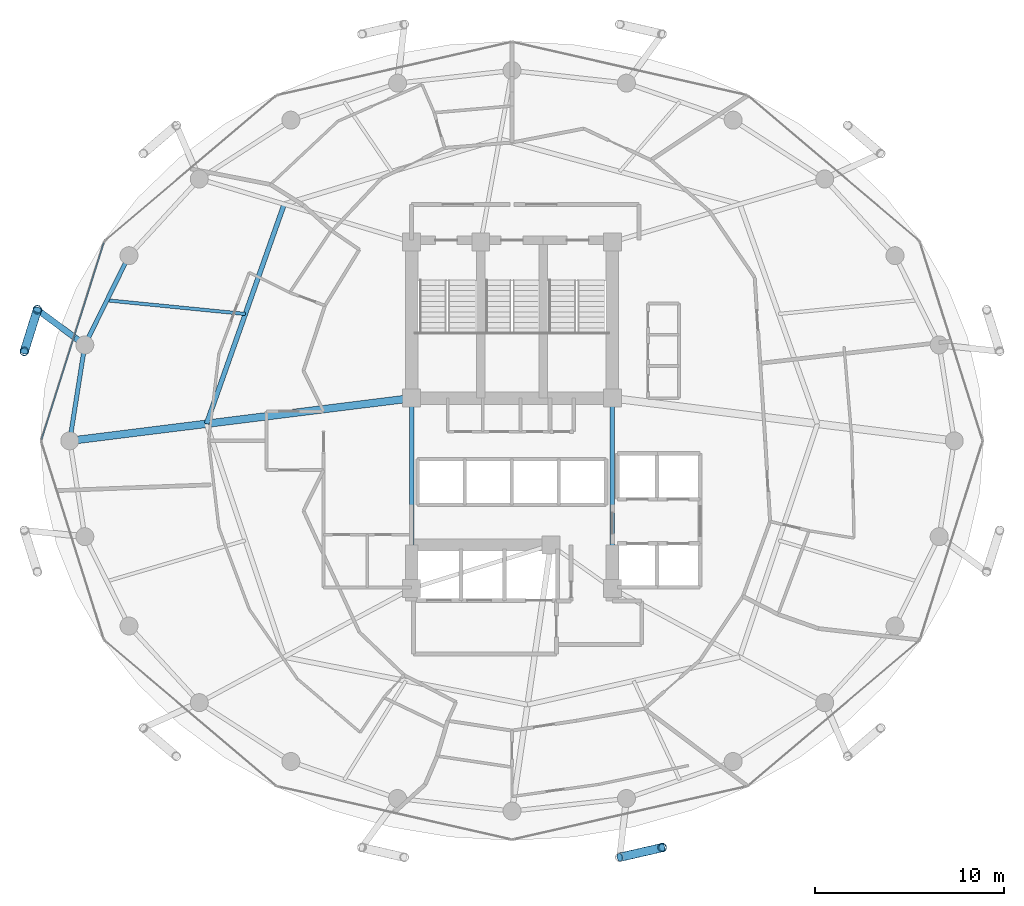
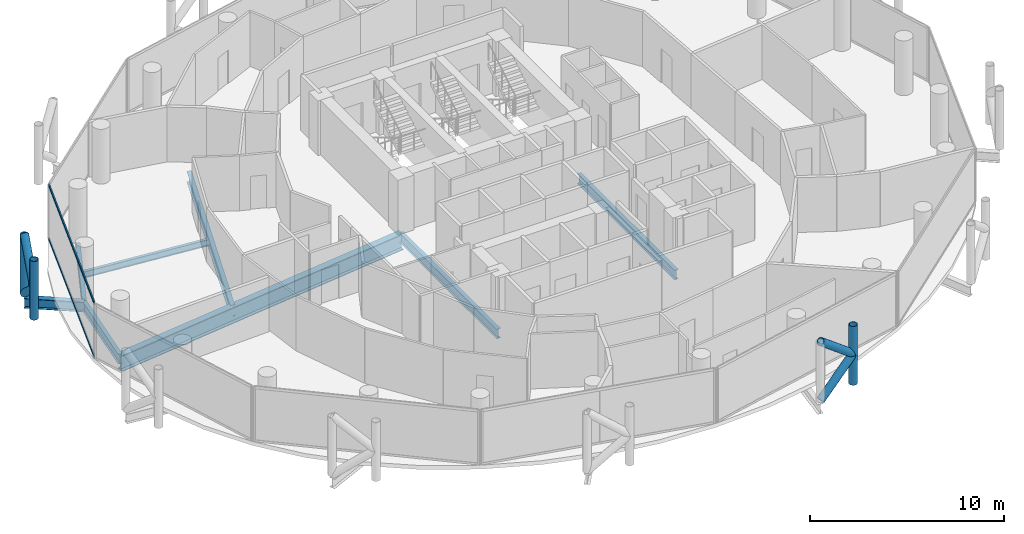
# One storey, part 7 of 26: 9 members, 8 beams, 1 element without a shape of its own.
"""IFC4 building model written with IfcOpenShell, lengths in metres."""

from ifc_helpers import new_model, si_unit, direction, frame, origin, origin_2d, place, context, subcontext, project, spatial, hollow_rectangle, hollow_circle, i_section, extrude, material, layer, layer_set, material_profile, profile_set, type_object, element, aggregate, save


model = new_model("IFC4")

# Units and contexts
model_context = context("Model", 3, precision=1e-05, world=origin(), true_north=direction((0.0, 1.0)))
body_context = subcontext(model_context, "Body", "Model", "MODEL_VIEW")
ifc_project = project(units=[si_unit("LENGTHUNIT", "METRE"), si_unit("AREAUNIT", "SQUARE_METRE"), si_unit("VOLUMEUNIT", "CUBIC_METRE"), si_unit("PLANEANGLEUNIT", "RADIAN"), si_unit("MASSUNIT", "GRAM", prefix="KILO")], contexts=[model_context])

# Site, building, storey
site_placement = place(None, origin())
site = spatial("IfcSite", under=ifc_project, at=site_placement, CompositionType="ELEMENT")
building_placement = place(site_placement, origin())
building = spatial("IfcBuilding", under=site, at=building_placement, Name="Nuhasar Tower", CompositionType="ELEMENT")
storey_placement = place(building_placement, frame((0.0, 0.0, 133.050048828125)))
storey = spatial("IfcBuildingStorey", under=building, at=storey_placement, Name="L31", CompositionType="ELEMENT", Elevation=133.050048828125)

# Beams
ifc_material_1 = material(Name="Steel S355", Category="steel")
ifc_material_profile_1 = material_profile(ifc_material_1, i_section(OverallWidth=0.25390625, OverallDepth=0.68408203125, WebThickness=0.012451171875, FlangeThickness=0.018798828125, at=origin_2d()), Name="W27X94")
ifc_profile_set_1 = profile_set([ifc_material_profile_1], Name="Steel S355")
beam_type_1 = type_object("IfcBeamType", Name="BM-INRING-W27X94", PredefinedType="BEAM", material=ifc_profile_set_1)
beam_1_placement = place(storey_placement, frame((26.972900390625, 39.2939453125, -0.592041015625), z_axis=(-0.333599821096, -0.942714781556, 0.0), x_axis=(0.942714781556, -0.333599821096, 0.0)))
element("IfcBeam", 1, at=beam_1_placement, inside=storey, type_object=beam_type_1, Name="L31 Inner Header Beam 07", PredefinedType="BEAM", context=body_context, shape_type="SweptSolid", body=[
    extrude(i_section(OverallWidth=0.25390625, OverallDepth=0.68408203125, WebThickness=0.012451171875, FlangeThickness=0.018798828125, at=origin_2d()), origin(), (0.0, 0.0, 1.0), 12.298583984375),
])
ifc_material_profile_2 = material_profile(ifc_material_1, i_section(OverallWidth=0.177978515625, OverallDepth=0.406005859375, WebThickness=0.0078125, FlangeThickness=0.0126953125, at=origin_2d()), Name="W16X40")
ifc_profile_set_2 = profile_set([ifc_material_profile_2], Name="Steel S355")
beam_type_2 = type_object("IfcBeamType", Name="BM-JST-W16X40", PredefinedType="JOIST", material=ifc_profile_set_2)
beam_2_placement = place(storey_placement, frame((24.922119140625, 33.4970703125, -0.453125), z_axis=(-0.995171845755, 0.098147834497, 0.0), x_axis=(-0.098147834497, -0.995171845755, 0.0)))
element("IfcBeam", 2, at=beam_2_placement, inside=storey, type_object=beam_type_2, Name="L31 Secondary Floor Joist 07", PredefinedType="JOIST", context=body_context, shape_type="SweptSolid", body=[
    extrude(i_section(OverallWidth=0.177978515625, OverallDepth=0.406005859375, WebThickness=0.0078125, FlangeThickness=0.0126953125, at=origin_2d()), origin(), (0.0, 0.0, 1.0), 7.345458984375),
])
ifc_material_profile_3 = material_profile(ifc_material_1, i_section(OverallWidth=0.22900390625, OverallDepth=0.612060546875, WebThickness=0.011962890625, FlangeThickness=0.01953125, at=origin_2d()), Name="W24X84")
ifc_profile_set_3 = profile_set([ifc_material_profile_3], Name="Steel S355")
beam_type_3 = type_object("IfcBeamType", Name="BM-RAD-W24X84", PredefinedType="BEAM", material=ifc_profile_set_3)
for number, where, z_axis, x_axis, name in (
    (3, (44.300048828125, 19.0, -0.55615234375), (0.0, 1.0, 0.0), (-1.0, 0.0, 0.0), "L31 Core Ring Girder 3"),
    (4, (33.699951171875, 29.050048828125, -0.55615234375), (0.0, -1.0, 0.0), (1.0, 0.0, 0.0), "L31 Core Ring Girder 8"),
):
    element("IfcBeam", number, at=place(storey_placement, frame(where, z_axis=z_axis, x_axis=x_axis)), inside=storey, type_object=beam_type_3, Name=name, PredefinedType="BEAM", context=body_context, shape_type="SweptSolid", body=[
        extrude(i_section(OverallWidth=0.22900390625, OverallDepth=0.612060546875, WebThickness=0.011962890625, FlangeThickness=0.01953125, at=origin_2d()), origin(), (0.0, 0.0, 1.0), 10.050048828125),
    ])
ifc_material_profile_4 = material_profile(ifc_material_1, i_section(OverallWidth=0.22998046875, OverallDepth=0.616943359375, WebThickness=0.01318359375, FlangeThickness=0.022216796875, at=origin_2d()), Name="W24X94")
ifc_profile_set_4 = profile_set([ifc_material_profile_4], Name="Steel S355")
beam_type_4 = type_object("IfcBeamType", Name="BM-RING-W24X94", PredefinedType="SPANDREL", material=ifc_profile_set_4)
beam_3_placement = place(storey_placement, frame((18.778076171875, 36.574951171875, -0.55810546875), z_axis=(-0.443347771709, -0.896349682501, 0.0), x_axis=(0.896349682501, -0.443347771709, 0.0)))
element("IfcBeam", 5, at=beam_3_placement, inside=storey, type_object=beam_type_4, Name="L31 Perimeter Ring Spandrel 11", PredefinedType="SPANDREL", context=body_context, shape_type="SweptSolid", body=[
    extrude(i_section(OverallWidth=0.22998046875, OverallDepth=0.616943359375, WebThickness=0.01318359375, FlangeThickness=0.022216796875, at=origin_2d()), origin(), (0.0, 0.0, 1.0), 5.260009765625),
])
beam_4_placement = place(storey_placement, frame((16.446044921875, 31.860107421875, -0.55810546875), z_axis=(-0.155426543608, -0.987847452566, 0.0), x_axis=(0.987847452566, -0.155426543608, 0.0)))
element("IfcBeam", 6, at=beam_4_placement, inside=storey, type_object=beam_type_4, Name="L31 Perimeter Ring Spandrel 12", PredefinedType="SPANDREL", context=body_context, shape_type="SweptSolid", body=[
    extrude(i_section(OverallWidth=0.22998046875, OverallDepth=0.616943359375, WebThickness=0.01318359375, FlangeThickness=0.022216796875, at=origin_2d()), origin(), (0.0, 0.0, 1.0), 5.122314453125),
])
ifc_material_profile_5 = material_profile(ifc_material_1, i_section(OverallWidth=0.323974609375, OverallDepth=0.611083984375, WebThickness=0.0126953125, FlangeThickness=0.01904296875, at=origin_2d()), Name="W24X104")
ifc_profile_set_5 = profile_set([ifc_material_profile_5], Name="Steel S355")
beam_type_5 = type_object("IfcBeamType", Name="BM-TIE-W24X104", PredefinedType="BEAM", material=ifc_profile_set_5)
beam_5_placement = place(storey_placement, frame((16.446044921875, 31.860107421875, -0.554931640625), z_axis=(-0.802872198291, 0.596151183183, 0.0), x_axis=(-0.596151183183, -0.802872198291, 0.0)))
element("IfcBeam", 7, at=beam_5_placement, inside=storey, type_object=beam_type_5, Name="L31 Exoskeleton Node Tie Beam 06", PredefinedType="BEAM", context=body_context, shape_type="SweptSolid", body=[
    extrude(i_section(OverallWidth=0.323974609375, OverallDepth=0.611083984375, WebThickness=0.0126953125, FlangeThickness=0.01904296875, at=origin_2d()), origin(), (0.0, 0.0, 1.0), 3.121337890625),
])
ifc_material_2 = material(Name="Steel S460", Category="steel")
ifc_material_profile_6 = material_profile(ifc_material_2, i_section(OverallWidth=0.40087890625, OverallDepth=1.010009765625, WebThickness=0.023681640625, FlangeThickness=0.0419921875, at=origin_2d()), Name="W40X297")
ifc_profile_set_6 = profile_set([ifc_material_profile_6], Name="Steel S460")
beam_type_6 = type_object("IfcBeamType", Name="BM-XFER-W40X297", PredefinedType="USERDEFINED", material=ifc_profile_set_6)
beam_6_placement = place(storey_placement, frame((33.699951171875, 29.050048828125, -0.755126953125), z_axis=(-0.992320149485, -0.123696082908, 0.0), x_axis=(0.123696082908, -0.992320149485, 0.0)))
element("IfcBeam", 8, at=beam_6_placement, inside=storey, type_object=beam_type_6, Name="L31 Radial Floor Girder 08", ObjectType="GIRDER", PredefinedType="USERDEFINED", context=body_context, shape_type="SweptSolid", body=[
    extrude(i_section(OverallWidth=0.40087890625, OverallDepth=1.010009765625, WebThickness=0.023681640625, FlangeThickness=0.0419921875, at=origin_2d()), origin(), (0.0, 0.0, 1.0), 18.189697265625),
])

# Curtain wall, members
ifc_material_3 = material(Name="Aluminium 6063-T6", Category="aluminium")
ifc_layer = layer(ifc_material_3, 0.199951171875)
ifc_layer_set = layer_set([ifc_layer], Name="Aluminium 6063-T6")
curtain_wall_type = type_object("IfcCurtainWallType", Name="CW-Z2-HTL", PredefinedType="NOTDEFINED", material=ifc_layer_set)
curtain_wall_placement = place(storey_placement, origin())
curtain_wall = element("IfcCurtainWall", 9, at=curtain_wall_placement, inside=storey, type_object=curtain_wall_type, Name="L31 Unitised Curtain Wall 06", PredefinedType="NOTDEFINED")
ifc_material_profile_7 = material_profile(ifc_material_3, hollow_rectangle(XDim=0.070068359375, YDim=0.159912109375, WallThickness=0.00439453125, at=origin_2d()), Name="CWT-3")
ifc_profile_set_7 = profile_set([ifc_material_profile_7], Name="Aluminium 6063-T6")
member_type_1 = type_object("IfcMemberType", Name="CW-TRN-S3", PredefinedType="USERDEFINED", material=ifc_profile_set_7)
member_1_placement = place(storey_placement, frame((17.449951171875, 37.26318359375, 0.034912109375), z_axis=(-0.301608163352, -0.953431967053, 0.0), x_axis=(0.953431967053, -0.301608163352, 0.0)))
member_1 = element("IfcMember", 10, at=member_1_placement, type_object=member_type_1, Name="CW-Z2 transom 1.1", ObjectType="TRANSOM", PredefinedType="USERDEFINED", context=body_context, shape_type="SweptSolid", body=[
    extrude(hollow_rectangle(XDim=0.070068359375, YDim=0.159912109375, WallThickness=0.00439453125, at=origin_2d()), origin(), (0.0, 0.0, 1.0), 10.904296875),
])
member_2_placement = place(storey_placement, frame((17.449951171875, 37.26318359375, 3.4150390625), z_axis=(-0.301608163352, -0.953431967053, 0.0), x_axis=(0.953431967053, -0.301608163352, 0.0)))
member_2 = element("IfcMember", 11, at=member_2_placement, type_object=member_type_1, Name="CW-Z2 transom 1.2", ObjectType="TRANSOM", PredefinedType="USERDEFINED", context=body_context, shape_type="SweptSolid", body=[
    extrude(hollow_rectangle(XDim=0.070068359375, YDim=0.159912109375, WallThickness=0.00439453125, at=origin_2d()), origin(), (0.0, 0.0, 1.0), 10.904296875),
])
aggregate(curtain_wall, [member_1, member_2])

# Members
ifc_material_profile_8 = material_profile(ifc_material_2, hollow_circle(Radius=0.228515625, WallThickness=0.022216796875, at=origin_2d()), Name="HSS457X22.2")
ifc_profile_set_8 = profile_set([ifc_material_profile_8], Name="Steel S460")
member_type_2 = type_object("IfcMemberType", Name="EXO-BRONZE-457", PredefinedType="BRACE", material=ifc_profile_set_8)
for number, where, z_axis, x_axis, name in (
    (12, (13.93994140625, 33.720947265625, 0.0), (0.0, 0.0, 1.0), (1.0, 0.0, 0.0), "L31 Exoskeleton Chord Column EC-06A"),
    (13, (13.251953125, 31.52587890625, 0.0), (0.0, 0.0, 1.0), (1.0, 0.0, 0.0), "L31 Exoskeleton Chord Column EC-06B"),
    (14, (46.927978515625, 5.323974609375, 0.0), (0.0, 0.0, 1.0), (1.0, 0.0, 0.0), "L31 Exoskeleton Chord Column EC-10B"),
):
    element("IfcMember", number, at=place(storey_placement, frame(where, z_axis=z_axis, x_axis=x_axis)), inside=storey, type_object=member_type_2, Name=name, PredefinedType="BRACE", context=body_context, shape_type="SweptSolid", body=[
        extrude(hollow_circle(Radius=0.228515625, WallThickness=0.022216796875, at=origin_2d()), origin(), (0.0, 0.0, 1.0), 3.699951171875),
    ])
member_3_placement = place(storey_placement, frame((13.93994140625, 33.720947265625, 0.0), z_axis=(-0.233067628236, -0.74361641074, 0.626669062861), x_axis=(0.954228474306, -0.29907861646, 0.0)))
element("IfcMember", 15, at=member_3_placement, inside=storey, type_object=member_type_2, Name="L31 Bronze Diagrid Brace W1-06", PredefinedType="BRACE", context=body_context, shape_type="SweptSolid", body=[
    extrude(hollow_circle(Radius=0.228515625, WallThickness=0.022216796875, at=origin_2d()), origin(), (0.0, 0.0, 1.0), 2.951904296875),
])
member_4_placement = place(storey_placement, frame((13.251953125, 31.52587890625, 1.849853515625), z_axis=(0.233055548538, 0.743577869731, 0.626719285599), x_axis=(-0.954228474306, 0.29907861646, 0.0)))
element("IfcMember", 16, at=member_4_placement, inside=storey, type_object=member_type_2, Name="L31 Bronze Diagrid Brace W2-06", PredefinedType="BRACE", context=body_context, shape_type="SweptSolid", body=[
    extrude(hollow_circle(Radius=0.228515625, WallThickness=0.022216796875, at=origin_2d()), origin(), (0.0, 0.0, 1.0), 2.9521484375),
])
member_5_placement = place(storey_placement, frame((44.68603515625, 4.81005859375, 0.0), z_axis=(0.759549860492, 0.174110035537, 0.626713415327), x_axis=(-0.223432882746, 0.974719316987, 0.0)))
element("IfcMember", 17, at=member_5_placement, inside=storey, type_object=member_type_2, Name="L31 Bronze Diagrid Brace W1-10", PredefinedType="BRACE", context=body_context, shape_type="SweptSolid", body=[
    extrude(hollow_circle(Radius=0.228515625, WallThickness=0.022216796875, at=origin_2d()), origin(), (0.0, 0.0, 1.0), 2.95166015625),
])
member_6_placement = place(storey_placement, frame((46.927978515625, 5.323974609375, 1.849853515625), z_axis=(-0.759510488094, -0.174101010284, 0.626763637022), x_axis=(0.223432882746, -0.974719316987, 0.0)))
element("IfcMember", 18, at=member_6_placement, inside=storey, type_object=member_type_2, Name="L31 Bronze Diagrid Brace W2-10", PredefinedType="BRACE", context=body_context, shape_type="SweptSolid", body=[
    extrude(hollow_circle(Radius=0.228515625, WallThickness=0.022216796875, at=origin_2d()), origin(), (0.0, 0.0, 1.0), 2.951904296875),
])

save(model, "model.ifc")
